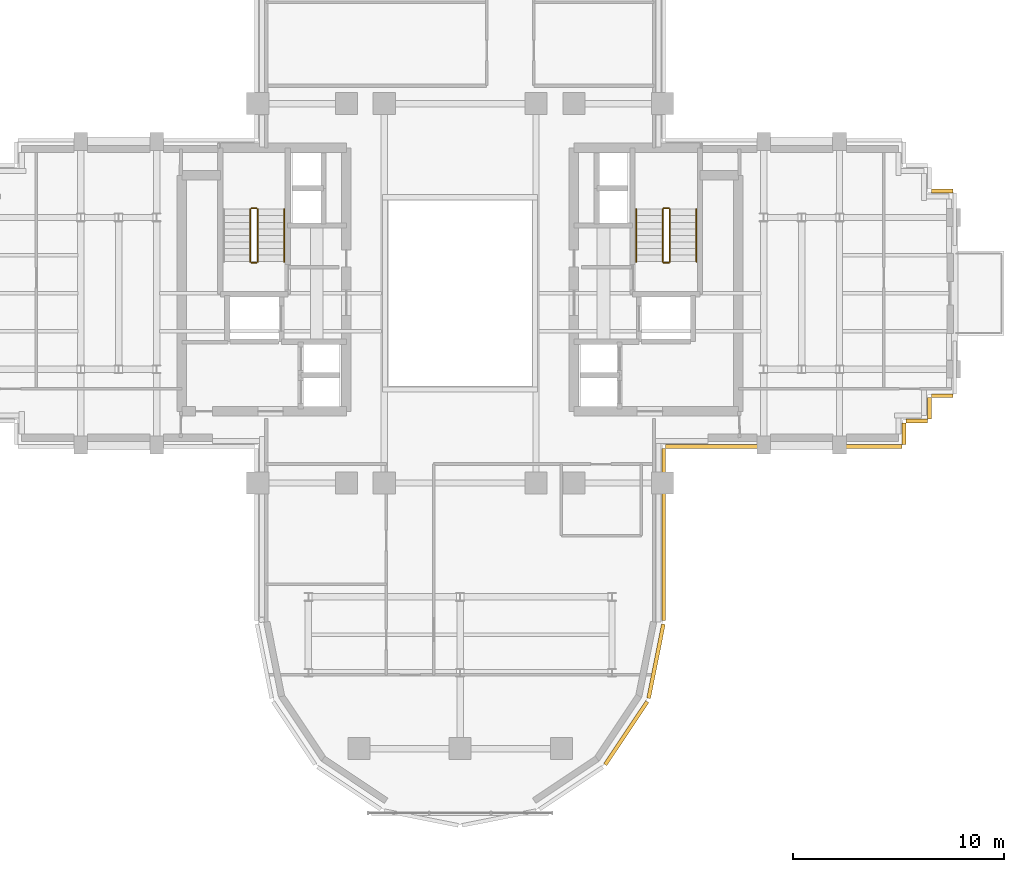
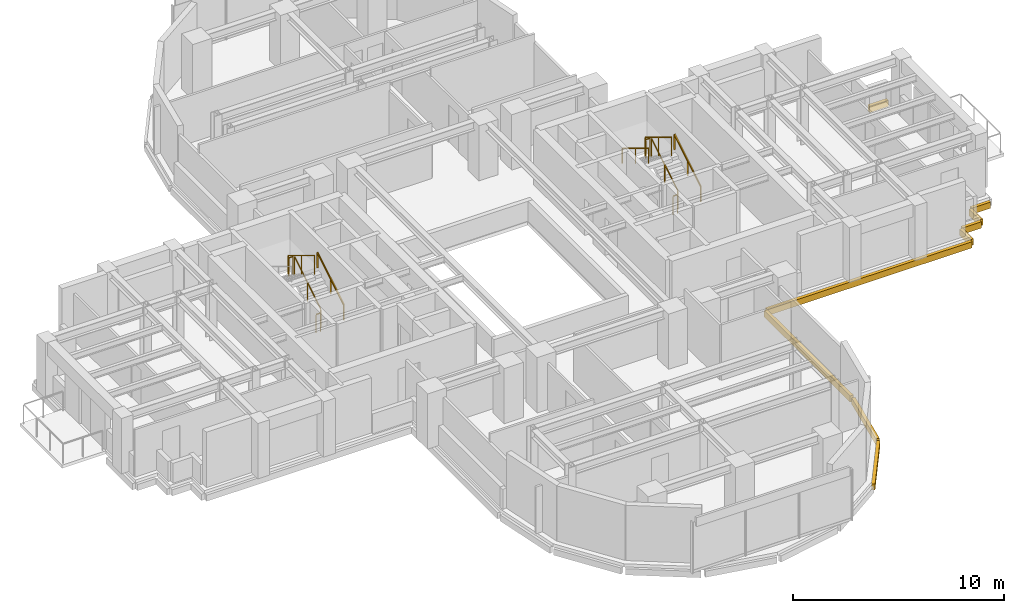
# One storey, part 12 of 13: 11 railings, 9 coverings.
"""IFC4 building model written with IfcOpenShell, lengths in metres."""

from ifc_helpers import new_model, si_unit, direction, frame, origin, origin_2d, place, context, subcontext, project, spatial, rectangle, extrude, source, transform, mapped, material, layer, layer_set, type_object, element, save


model = new_model("IFC4")

# Units and contexts
model_context = context("Model", 3, precision=1e-05, world=origin(), true_north=direction((0.0, 1.0)))
body_context = subcontext(model_context, "Body", "Model", "MODEL_VIEW")
ifc_project = project(units=[si_unit("LENGTHUNIT", "METRE"), si_unit("AREAUNIT", "SQUARE_METRE"), si_unit("VOLUMEUNIT", "CUBIC_METRE"), si_unit("PLANEANGLEUNIT", "RADIAN"), si_unit("MASSUNIT", "GRAM", prefix="KILO")], contexts=[model_context])

# Site, building, storey
site_placement = place(None, origin())
site = spatial("IfcSite", under=ifc_project, at=site_placement, CompositionType="ELEMENT")
building_placement = place(site_placement, origin())
building = spatial("IfcBuilding", under=site, at=building_placement, Name="Keilestroom Media Tower", CompositionType="ELEMENT")
storey_placement = place(building_placement, frame((0.0, 0.0, 107.39990234375)))
storey = spatial("IfcBuildingStorey", under=building, at=storey_placement, Name="L28", CompositionType="ELEMENT", Elevation=107.39990234375)

# Railings
ifc_material_1 = material(Name="Brushed Stainless Steel 1.4301", Category="steel")
railing_type_1 = type_object("IfcRailingType", Name="Stair-Pitch-Handrail-920", PredefinedType="HANDRAIL", material=ifc_material_1)
for number, where, name in (
    (1, (-8.35009765625, 1.5, 0.18896484375), "L28 ST-1 stair handrail 1"),
    (2, (11.2099609375, 1.5, 0.18896484375), "L28 ST-2 stair handrail 1"),
):
    element("IfcRailing", number, at=place(storey_placement, frame(where)), inside=storey, type_object=railing_type_1, Name=name, PredefinedType="HANDRAIL", context=body_context, shape_type="SweptSolid", body=[
        extrude(rectangle(XDim=0.048095703125, YDim=0.048095703125, at=origin_2d()), frame((0.0, 0.0, 0.8759765625), z_axis=(0.0, 0.855433747314, 0.517912255074), x_axis=(-1.0, 0.0, 0.0)), (0.0, 0.0, 1.0), 2.91796875),
        extrude(rectangle(XDim=0.0419921875, YDim=0.0419921875, at=origin_2d()), origin(), (0.0, 0.0, 1.0), 0.84375),
        extrude(rectangle(XDim=0.0419921875, YDim=0.0419921875, at=origin_2d()), frame((0.0, 1.248046875, 0.755615234375)), (0.0, 0.0, 1.0), 0.84375),
        extrude(rectangle(XDim=0.0419921875, YDim=0.0419921875, at=origin_2d()), frame((0.0, 2.49609375, 1.51123046875)), (0.0, 0.0, 1.0), 0.84375),
    ])
railing_1_placement = place(storey_placement, frame((8.35009765625, 3.99609375, 1.888916015625)))
element("IfcRailing", 3, at=railing_1_placement, inside=storey, type_object=railing_type_1, Name="L28 ST-2 stair handrail 2", PredefinedType="HANDRAIL", context=body_context, shape_type="SweptSolid", body=[
    extrude(rectangle(XDim=0.048095703125, YDim=0.048095703125, at=origin_2d()), frame((0.0, 0.0, 0.8759765625), z_axis=(0.0, -0.855433747314, 0.517912255074), x_axis=(1.0, 0.0, 0.0)), (0.0, 0.0, 1.0), 2.91796875),
    extrude(rectangle(XDim=0.0419921875, YDim=0.0419921875, at=origin_2d()), origin(), (0.0, 0.0, 1.0), 0.84375),
    extrude(rectangle(XDim=0.0419921875, YDim=0.0419921875, at=origin_2d()), frame((0.0, -1.248046875, 0.755615234375)), (0.0, 0.0, 1.0), 0.84375),
    extrude(rectangle(XDim=0.0419921875, YDim=0.0419921875, at=origin_2d()), frame((0.0, -2.49609375, 1.51123046875)), (0.0, 0.0, 1.0), 0.84375),
])
ifc_material_2 = material(Name="Painted Steel Balustrade", Category="steel")
railing_type_2 = type_object("IfcRailingType", Name="Stair-Well-And-Landing-Guard-1100", PredefinedType="GUARDRAIL", material=ifc_material_2)
railing_2_placement = place(storey_placement, frame((-9.610107421875, 1.5, 0.18896484375)))
element("IfcRailing", 4, at=railing_2_placement, inside=storey, type_object=railing_type_2, Name="L28 ST-1 stair guard 1", PredefinedType="GUARDRAIL", context=body_context, shape_type="SweptSolid", body=[
    extrude(rectangle(XDim=0.048095703125, YDim=0.048095703125, at=origin_2d()), frame((0.0, 0.0, 1.076171875), z_axis=(0.0, 0.855433747314, 0.517912255074), x_axis=(-1.0, 0.0, 0.0)), (0.0, 0.0, 1.0), 2.91796875),
    extrude(rectangle(XDim=0.0419921875, YDim=0.0419921875, at=origin_2d()), origin(), (0.0, 0.0, 1.0), 1.0439453125),
    extrude(rectangle(XDim=0.0419921875, YDim=0.0419921875, at=origin_2d()), frame((0.0, 1.248046875, 0.755615234375)), (0.0, 0.0, 1.0), 1.0439453125),
    extrude(rectangle(XDim=0.0419921875, YDim=0.0419921875, at=origin_2d()), frame((0.0, 2.49609375, 1.51123046875)), (0.0, 0.0, 1.0), 1.0439453125),
])
railing_3_placement = place(storey_placement, frame((-9.659912109375, 4.0458984375, 1.7001953125)))
element("IfcRailing", 5, at=railing_3_placement, inside=storey, type_object=railing_type_2, Name="L28 ST-1 stair guard 2", PredefinedType="GUARDRAIL", context=body_context, shape_type="SweptSolid", body=[
    extrude(rectangle(XDim=0.048095703125, YDim=0.048095703125, at=origin_2d()), frame((0.0, 0.0, 1.076171875), z_axis=(-1.0, 0.0, 0.0), x_axis=(0.0, -1.0, 0.0)), (0.0, 0.0, 1.0), 0.239990234375),
    extrude(rectangle(XDim=0.0419921875, YDim=0.0419921875, at=origin_2d()), origin(), (0.0, 0.0, 1.0), 1.0439453125),
    extrude(rectangle(XDim=0.0419921875, YDim=0.0419921875, at=origin_2d()), frame((-0.239990234375, 0.0, 0.0)), (0.0, 0.0, 1.0), 1.0439453125),
])
railing_4_placement = place(storey_placement, frame((-9.949951171875, 3.99609375, 1.888916015625)))
element("IfcRailing", 6, at=railing_4_placement, inside=storey, type_object=railing_type_2, Name="L28 ST-1 stair guard 3", PredefinedType="GUARDRAIL", context=body_context, shape_type="SweptSolid", body=[
    extrude(rectangle(XDim=0.048095703125, YDim=0.048095703125, at=origin_2d()), frame((0.0, 0.0, 1.076171875), z_axis=(0.0, -0.855433747314, 0.517912255074), x_axis=(1.0, 0.0, 0.0)), (0.0, 0.0, 1.0), 2.91796875),
    extrude(rectangle(XDim=0.0419921875, YDim=0.0419921875, at=origin_2d()), origin(), (0.0, 0.0, 1.0), 1.0439453125),
    extrude(rectangle(XDim=0.0419921875, YDim=0.0419921875, at=origin_2d()), frame((0.0, -1.248046875, 0.755615234375)), (0.0, 0.0, 1.0), 1.0439453125),
    extrude(rectangle(XDim=0.0419921875, YDim=0.0419921875, at=origin_2d()), frame((0.0, -2.49609375, 1.51123046875)), (0.0, 0.0, 1.0), 1.0439453125),
])
railing_5_placement = place(storey_placement, frame((-9.659912109375, 1.449951171875, 0.0)))
element("IfcRailing", 7, at=railing_5_placement, inside=storey, type_object=railing_type_2, Name="L28 ST-1 stair guard 4", PredefinedType="GUARDRAIL", context=body_context, shape_type="SweptSolid", body=[
    extrude(rectangle(XDim=0.048095703125, YDim=0.048095703125, at=origin_2d()), frame((0.0, 0.0, 1.076171875), z_axis=(-1.0, 0.0, 0.0), x_axis=(0.0, -1.0, 0.0)), (0.0, 0.0, 1.0), 0.239990234375),
    extrude(rectangle(XDim=0.0419921875, YDim=0.0419921875, at=origin_2d()), origin(), (0.0, 0.0, 1.0), 1.0439453125),
    extrude(rectangle(XDim=0.0419921875, YDim=0.0419921875, at=origin_2d()), frame((-0.239990234375, 0.0, 0.0)), (0.0, 0.0, 1.0), 1.0439453125),
])
railing_6_placement = place(storey_placement, frame((9.949951171875, 1.5, 0.18896484375)))
element("IfcRailing", 8, at=railing_6_placement, inside=storey, type_object=railing_type_2, Name="L28 ST-2 stair guard 1", PredefinedType="GUARDRAIL", context=body_context, shape_type="SweptSolid", body=[
    extrude(rectangle(XDim=0.048095703125, YDim=0.048095703125, at=origin_2d()), frame((0.0, 0.0, 1.076171875), z_axis=(0.0, 0.855433747314, 0.517912255074), x_axis=(-1.0, 0.0, 0.0)), (0.0, 0.0, 1.0), 2.91796875),
    extrude(rectangle(XDim=0.0419921875, YDim=0.0419921875, at=origin_2d()), origin(), (0.0, 0.0, 1.0), 1.0439453125),
    extrude(rectangle(XDim=0.0419921875, YDim=0.0419921875, at=origin_2d()), frame((0.0, 1.248046875, 0.755615234375)), (0.0, 0.0, 1.0), 1.0439453125),
    extrude(rectangle(XDim=0.0419921875, YDim=0.0419921875, at=origin_2d()), frame((0.0, 2.49609375, 1.51123046875)), (0.0, 0.0, 1.0), 1.0439453125),
])
railing_7_placement = place(storey_placement, frame((9.89990234375, 4.0458984375, 1.7001953125)))
element("IfcRailing", 9, at=railing_7_placement, inside=storey, type_object=railing_type_2, Name="L28 ST-2 stair guard 2", PredefinedType="GUARDRAIL", context=body_context, shape_type="SweptSolid", body=[
    extrude(rectangle(XDim=0.048095703125, YDim=0.048095703125, at=origin_2d()), frame((0.0, 0.0, 1.076171875), z_axis=(-1.0, 0.0, 0.0), x_axis=(0.0, -1.0, 0.0)), (0.0, 0.0, 1.0), 0.239990234375),
    extrude(rectangle(XDim=0.0419921875, YDim=0.0419921875, at=origin_2d()), origin(), (0.0, 0.0, 1.0), 1.0439453125),
    extrude(rectangle(XDim=0.0419921875, YDim=0.0419921875, at=origin_2d()), frame((-0.239990234375, 0.0, 0.0)), (0.0, 0.0, 1.0), 1.0439453125),
])
railing_8_placement = place(storey_placement, frame((9.610107421875, 3.99609375, 1.888916015625)))
element("IfcRailing", 10, at=railing_8_placement, inside=storey, type_object=railing_type_2, Name="L28 ST-2 stair guard 3", PredefinedType="GUARDRAIL", context=body_context, shape_type="SweptSolid", body=[
    extrude(rectangle(XDim=0.048095703125, YDim=0.048095703125, at=origin_2d()), frame((0.0, 0.0, 1.076171875), z_axis=(0.0, -0.855433747314, 0.517912255074), x_axis=(1.0, 0.0, 0.0)), (0.0, 0.0, 1.0), 2.91796875),
    extrude(rectangle(XDim=0.0419921875, YDim=0.0419921875, at=origin_2d()), origin(), (0.0, 0.0, 1.0), 1.0439453125),
    extrude(rectangle(XDim=0.0419921875, YDim=0.0419921875, at=origin_2d()), frame((0.0, -1.248046875, 0.755615234375)), (0.0, 0.0, 1.0), 1.0439453125),
    extrude(rectangle(XDim=0.0419921875, YDim=0.0419921875, at=origin_2d()), frame((0.0, -2.49609375, 1.51123046875)), (0.0, 0.0, 1.0), 1.0439453125),
])
railing_9_placement = place(storey_placement, frame((9.89990234375, 1.449951171875, 0.0)))
element("IfcRailing", 11, at=railing_9_placement, inside=storey, type_object=railing_type_2, Name="L28 ST-2 stair guard 4", PredefinedType="GUARDRAIL", context=body_context, shape_type="SweptSolid", body=[
    extrude(rectangle(XDim=0.048095703125, YDim=0.048095703125, at=origin_2d()), frame((0.0, 0.0, 1.076171875), z_axis=(-1.0, 0.0, 0.0), x_axis=(0.0, -1.0, 0.0)), (0.0, 0.0, 1.0), 0.239990234375),
    extrude(rectangle(XDim=0.0419921875, YDim=0.0419921875, at=origin_2d()), origin(), (0.0, 0.0, 1.0), 1.0439453125),
    extrude(rectangle(XDim=0.0419921875, YDim=0.0419921875, at=origin_2d()), frame((-0.239990234375, 0.0, 0.0)), (0.0, 0.0, 1.0), 1.0439453125),
])

# Coverings
ifc_material_3 = material(Name="Precast concrete C40/50", Category="concrete")
ifc_layer = layer(ifc_material_3, 0.1201171875)
ifc_layer_set = layer_set([ifc_layer], Name="Precast concrete C40/50")
covering_type = type_object("IfcCoveringType", Name="Exterior-Precast-Spandrel-Cladding-Panel-120", PredefinedType="CLADDING", material=ifc_layer_set)
shared_shape_1 = source(origin(), body_context, "Body", "SweptSolid", [
    extrude(rectangle(XDim=1.02001953125, YDim=0.179931640625, at=origin_2d()), origin(), (0.0, 0.0, 1.0), 0.360107421875),
])
for number, where, z_axis, x_axis, name in (
    (12, (22.860107421875, -4.860107421875, -0.5400390625), (0.0, 0.0, 1.0), (-1.0, 0.0, 0.0), "L28 Precast Slab-Edge Fascia Cornice 01"),
    (13, (22.260009765625, -5.4599609375, -0.5400390625), (0.0, 0.0, 1.0), (0.0, -1.0, 0.0), "L28 Precast Slab-Edge Fascia Cornice 02"),
    (14, (21.659912109375, -6.06005859375, -0.5400390625), (0.0, 0.0, 1.0), (-1.0, 0.0, 0.0), "L28 Precast Slab-Edge Fascia Cornice 03"),
    (15, (21.06005859375, -6.659912109375, -0.5400390625), (0.0, 0.0, 1.0), (0.0, -1.0, 0.0), "L28 Precast Slab-Edge Fascia Cornice 04"),
    (16, (22.860107421875, 4.860107421875, -0.5400390625), (0.0, 0.0, 1.0), (1.0, 0.0, 0.0), "L28 Precast Slab-Edge Fascia Cornice 42"),
):
    element("IfcCovering", number, at=place(storey_placement, frame(where, z_axis=z_axis, x_axis=x_axis)), inside=storey, type_object=covering_type, Name=name, PredefinedType="CLADDING", context=body_context, shape_type="MappedRepresentation", body=[
        mapped(shared_shape_1, transform((0.0, 0.0, 0.0), x_axis=(1.0, 0.0, 0.0), y_axis=(0.0, 1.0, 0.0), z_axis=(0.0, 0.0, 1.0), scale=1.0)),
    ])
shared_shape_2 = source(origin(), body_context, "Body", "SweptSolid", [
    extrude(rectangle(XDim=8.166015625, YDim=0.179931640625, at=origin_2d()), origin(), (0.0, 0.0, 1.0), 0.360107421875),
])
covering_1_placement = place(storey_placement, frame((9.659912109375, -11.43310546875, -0.5400390625), z_axis=(0.0, 0.0, 1.0), x_axis=(0.0, -1.0, 0.0)))
element("IfcCovering", 17, at=covering_1_placement, inside=storey, type_object=covering_type, Name="L28 Precast Slab-Edge Fascia Cornice 06", PredefinedType="CLADDING", context=body_context, shape_type="MappedRepresentation", body=[
    mapped(shared_shape_2, transform((0.0, 0.0, 0.0), x_axis=(1.0, 0.0, 0.0), y_axis=(0.0, 1.0, 0.0), z_axis=(0.0, 0.0, 1.0), scale=1.0)),
])
shared_shape_3 = source(origin(), body_context, "Body", "SweptSolid", [
    extrude(rectangle(XDim=3.58349609375, YDim=0.179931640625, at=origin_2d()), origin(), (0.0, 0.0, 1.0), 0.360107421875),
])
covering_2_placement = place(storey_placement, frame((9.29296875, -17.45166015625, -0.5400390625), z_axis=(0.0, 0.0, 1.0), x_axis=(-0.195098880975, -0.980783577882, 0.0)))
element("IfcCovering", 18, at=covering_2_placement, inside=storey, type_object=covering_type, Name="L28 Precast Slab-Edge Fascia Cornice 07", PredefinedType="CLADDING", context=body_context, shape_type="MappedRepresentation", body=[
    mapped(shared_shape_3, transform((0.0, 0.0, 0.0), x_axis=(1.0, 0.0, 0.0), y_axis=(0.0, 1.0, 0.0), z_axis=(0.0, 0.0, 1.0), scale=1.0)),
])
shared_shape_4 = source(origin(), body_context, "Body", "SweptSolid", [
    extrude(rectangle(XDim=3.589599609375, YDim=0.179931640625, at=origin_2d()), origin(), (0.0, 0.0, 1.0), 0.360107421875),
])
covering_3_placement = place(storey_placement, frame((7.878662109375, -20.8642578125, -0.5400390625), z_axis=(0.0, 0.0, 1.0), x_axis=(-0.555574586577, -0.831466703332, 0.0)))
element("IfcCovering", 19, at=covering_3_placement, inside=storey, type_object=covering_type, Name="L28 Precast Slab-Edge Fascia Cornice 08", PredefinedType="CLADDING", context=body_context, shape_type="MappedRepresentation", body=[
    mapped(shared_shape_4, transform((0.0, 0.0, 0.0), x_axis=(1.0, 0.0, 0.0), y_axis=(0.0, 1.0, 0.0), z_axis=(0.0, 0.0, 1.0), scale=1.0)),
])
shared_shape_5 = source(origin(), body_context, "Body", "SweptSolid", [
    extrude(rectangle(XDim=11.219970703125, YDim=0.179931640625, at=origin_2d()), origin(), (0.0, 0.0, 1.0), 0.360107421875),
])
covering_4_placement = place(storey_placement, frame((15.360107421875, -7.260009765625, -0.5400390625), z_axis=(0.0, 0.0, 1.0), x_axis=(-1.0, 0.0, 0.0)))
element("IfcCovering", 20, at=covering_4_placement, inside=storey, type_object=covering_type, Name="L28 Precast Slab-Edge Fascia Cornice 05", PredefinedType="CLADDING", context=body_context, shape_type="MappedRepresentation", body=[
    mapped(shared_shape_5, transform((0.0, 0.0, 0.0), x_axis=(1.0, 0.0, 0.0), y_axis=(0.0, 1.0, 0.0), z_axis=(0.0, 0.0, 1.0), scale=1.0)),
])

save(model, "model.ifc")
